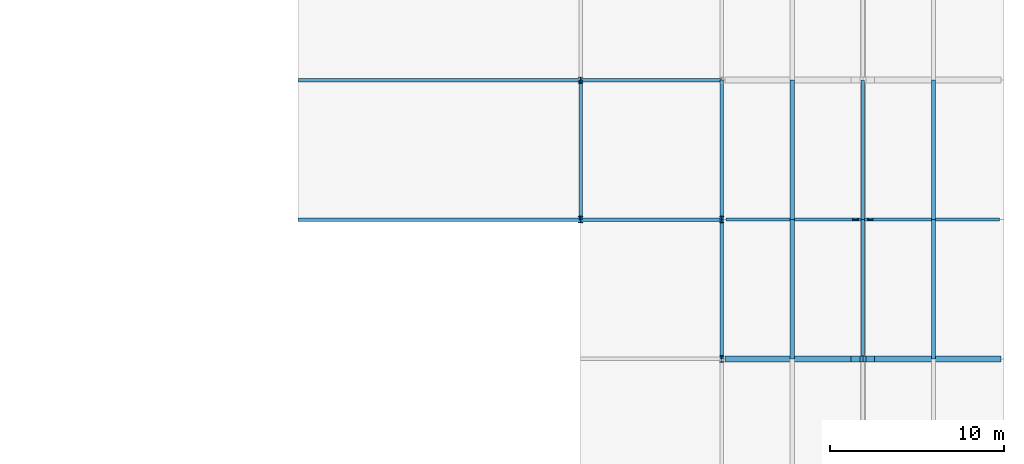
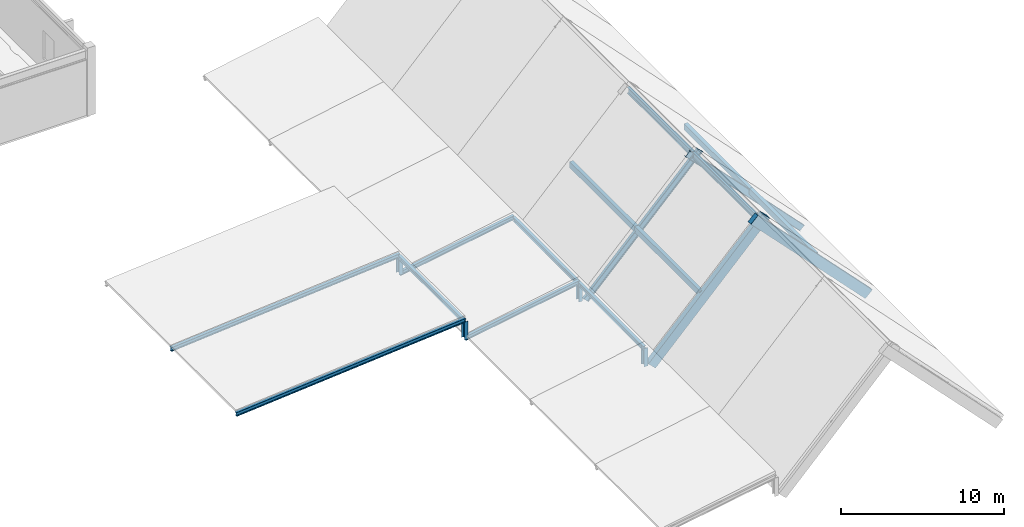
# One storey, part 39 of 107: 16 members, 5 beams.
"""IFC4 building model written with IfcOpenShell, lengths in metres."""

from ifc_helpers import new_model, si_unit, direction, frame, origin, origin_2d, place, context, subcontext, project, spatial, rectangle, i_section, extrude, material, material_profile, profile_set, type_object, element, save


model = new_model("IFC4")

# Units and contexts
model_context = context("Model", 3, precision=1e-05, world=origin(), true_north=direction((0.0, 1.0)))
body_context = subcontext(model_context, "Body", "Model", "MODEL_VIEW")
ifc_project = project(units=[si_unit("LENGTHUNIT", "METRE"), si_unit("AREAUNIT", "SQUARE_METRE"), si_unit("VOLUMEUNIT", "CUBIC_METRE"), si_unit("PLANEANGLEUNIT", "RADIAN"), si_unit("MASSUNIT", "GRAM", prefix="KILO")], contexts=[model_context])

# Site, building, storey
site_placement = place(None, origin())
site = spatial("IfcSite", under=ifc_project, at=site_placement, CompositionType="ELEMENT")
building_placement = place(site_placement, origin())
building = spatial("IfcBuilding", under=site, at=building_placement, Name="Tarnveldt Square Police Headquarters", CompositionType="ELEMENT")
storey_placement = place(building_placement, frame((0.0, 0.0, 14.699951171875)))
storey = spatial("IfcBuildingStorey", under=building, at=storey_placement, Name="L03", CompositionType="ELEMENT", Elevation=14.699951171875)

# Beams
ifc_material_1 = material(Name="Steel 350W", Category="steel")
ifc_material_profile_1 = material_profile(ifc_material_1, i_section(OverallWidth=0.202880859375, OverallDepth=0.302978515625, WebThickness=0.007568359375, FlangeThickness=0.01318359375, FilletRadius=0.014892578125, at=origin_2d()), Name="W310x60")
ifc_profile_set_1 = profile_set([ifc_material_profile_1], Name="Steel 350W")
beam_type_1 = type_object("IfcBeamType", Name="BM-W310x60", PredefinedType="JOIST", material=ifc_profile_set_1)
for number, where, z_axis, x_axis, name in (
    (1, (145.800048828125, 16.0, 0.97998046875), (0.0, 1.0, 0.0), (-1.0, 0.0, 0.0), "East Spine High-Eave Header 3"),
    (2, (145.800048828125, 24.0, 0.97998046875), (0.0, 1.0, 0.0), (-1.0, 0.0, 0.0), "East Spine High-Eave Header 4"),
    (3, (137.699951171875, 24.0, 0.949951171875), (0.0, 1.0, 0.0), (-1.0, 0.0, 0.0), "Foyer Link High-Eave Header 1"),
):
    element("IfcBeam", number, at=place(storey_placement, frame(where, z_axis=z_axis, x_axis=x_axis)), inside=storey, type_object=beam_type_1, Name=name, PredefinedType="JOIST", context=body_context, shape_type="SweptSolid", body=[
        extrude(i_section(OverallWidth=0.202880859375, OverallDepth=0.302978515625, WebThickness=0.007568359375, FlangeThickness=0.01318359375, FilletRadius=0.014892578125, at=origin_2d()), origin(), (0.0, 0.0, 1.0), 8.0),
    ])
ifc_material_profile_2 = material_profile(ifc_material_1, i_section(OverallWidth=0.19189453125, OverallDepth=0.462890625, WebThickness=0.010498046875, FlangeThickness=0.017578125, FilletRadius=0.01806640625, at=origin_2d()), Name="W460x89")
ifc_profile_set_2 = profile_set([ifc_material_profile_2], Name="Steel 350W")
beam_type_2 = type_object("IfcBeamType", Name="BM-W460x89", PredefinedType="BEAM", material=ifc_profile_set_2)
for number, where, z_axis, x_axis, name in (
    (4, (153.89990234375, 16.0, 7.780029296875), (0.0, 1.0, 0.0), (-1.0, 0.0, 0.0), "Gabled Hall Ridge Beam 3"),
    (5, (153.89990234375, 24.0, 7.780029296875), (0.0, 1.0, 0.0), (-1.0, 0.0, 0.0), "Gabled Hall Ridge Beam 4"),
):
    element("IfcBeam", number, at=place(storey_placement, frame(where, z_axis=z_axis, x_axis=x_axis)), inside=storey, type_object=beam_type_2, Name=name, PredefinedType="BEAM", context=body_context, shape_type="SweptSolid", body=[
        extrude(i_section(OverallWidth=0.19189453125, OverallDepth=0.462890625, WebThickness=0.010498046875, FlangeThickness=0.017578125, FilletRadius=0.01806640625, at=origin_2d()), origin(), (0.0, 0.0, 1.0), 8.0),
    ])

# Members
ifc_material_profile_3 = material_profile(ifc_material_1, i_section(OverallWidth=0.257080078125, OverallDepth=0.363037109375, WebThickness=0.012939453125, FlangeThickness=0.021728515625, FilletRadius=0.01611328125, at=origin_2d()), Name="W360x122")
ifc_profile_set_3 = profile_set([ifc_material_profile_3], Name="Steel 350W")
member_type_1 = type_object("IfcMemberType", Name="MEM-CT-POST", PredefinedType="STRUT", material=ifc_profile_set_3)
for number, where, z_axis, x_axis, name in (
    (6, (145.800048828125, 16.0, -0.280029296875), (0.0, 0.0, 1.0), (1.0, 0.0, 0.0), "East Spine Shed High-Eave Post 3"),
    (7, (145.800048828125, 24.0, -0.280029296875), (0.0, 0.0, 1.0), (1.0, 0.0, 0.0), "East Spine Shed High-Eave Post 4"),
):
    element("IfcMember", number, at=place(storey_placement, frame(where, z_axis=z_axis, x_axis=x_axis)), inside=storey, type_object=member_type_1, Name=name, PredefinedType="STRUT", context=body_context, shape_type="SweptSolid", body=[
        extrude(i_section(OverallWidth=0.257080078125, OverallDepth=0.363037109375, WebThickness=0.012939453125, FlangeThickness=0.021728515625, FilletRadius=0.01611328125, at=origin_2d()), origin(), (0.0, 0.0, 1.0), 1.380126953125),
    ])
for number, where, z_axis, x_axis, name in (
    (8, (137.699951171875, 24.0, -0.280029296875), (0.0, 0.0, 1.0), (1.0, 0.0, 0.0), "Foyer Link High-Eave Post 24"),
    (9, (137.699951171875, 32.0, -0.280029296875), (0.0, 0.0, 1.0), (1.0, 0.0, 0.0), "Foyer Link High-Eave Post 32"),
):
    element("IfcMember", number, at=place(storey_placement, frame(where, z_axis=z_axis, x_axis=x_axis)), inside=storey, type_object=member_type_1, Name=name, PredefinedType="STRUT", context=body_context, shape_type="SweptSolid", body=[
        extrude(i_section(OverallWidth=0.257080078125, OverallDepth=0.363037109375, WebThickness=0.012939453125, FlangeThickness=0.021728515625, FilletRadius=0.01611328125, at=origin_2d()), origin(), (0.0, 0.0, 1.0), 1.330078125),
    ])
ifc_material_2 = material(Name="Precast concrete 35 MPa", Category="concrete")
ifc_material_profile_4 = material_profile(ifc_material_2, rectangle(XDim=0.25, YDim=0.449951171875, at=origin_2d()), Name="PC-PUR250x450")
ifc_profile_set_4 = profile_set([ifc_material_profile_4], Name="Precast concrete 35 MPa")
member_type_2 = type_object("IfcMemberType", Name="MEM-GAB-PUR1", PredefinedType="PURLIN", material=ifc_profile_set_4)
for number, where, z_axis, x_axis, name in (
    (10, (149.85009765625, 16.0, 3.64013671875), (0.0, 1.0, 0.0), (-1.0, 0.0, 0.0), "Gabled Hall Roof Purlin W-3"),
    (11, (157.949951171875, 16.0, 3.64013671875), (0.0, 1.0, 0.0), (-1.0, 0.0, 0.0), "Gabled Hall Roof Purlin E-3"),
    (12, (149.85009765625, 24.0, 3.64013671875), (0.0, 1.0, 0.0), (-1.0, 0.0, 0.0), "Gabled Hall Roof Purlin W-4"),
    (13, (157.949951171875, 24.0, 3.64013671875), (0.0, 1.0, 0.0), (-1.0, 0.0, 0.0), "Gabled Hall Roof Purlin E-4"),
):
    element("IfcMember", number, at=place(storey_placement, frame(where, z_axis=z_axis, x_axis=x_axis)), inside=storey, type_object=member_type_2, Name=name, PredefinedType="PURLIN", context=body_context, shape_type="SweptSolid", body=[
        extrude(rectangle(XDim=0.25, YDim=0.449951171875, at=origin_2d()), origin(), (0.0, 0.0, 1.0), 8.0),
    ])
ifc_material_profile_5 = material_profile(ifc_material_2, rectangle(XDim=0.35009765625, YDim=0.699951171875, at=origin_2d()), Name="PC-RAF350x700")
ifc_profile_set_5 = profile_set([ifc_material_profile_5], Name="Precast concrete 35 MPa")
member_type_3 = type_object("IfcMemberType", Name="MEM-GAB-RAF1", PredefinedType="RAFTER", material=ifc_profile_set_5)
member_1_placement = place(storey_placement, frame((146.224609375, 16.0, -0.409423828125), z_axis=(0.694144088606, 0.0, 0.719836081517), x_axis=(0.0, 1.0, 0.0)))
element("IfcMember", 14, at=member_1_placement, inside=storey, type_object=member_type_3, Name="Gabled Hall Rafter Frame GF-3 West", PredefinedType="RAFTER", context=body_context, shape_type="SweptSolid", body=[
    extrude(rectangle(XDim=0.35009765625, YDim=0.699951171875, at=origin_2d()), origin(), (0.0, 0.0, 1.0), 11.669189453125),
])
member_2_placement = place(storey_placement, frame((153.475341796875, 16.0, 7.990478515625), z_axis=(0.694133247437, 0.0, -0.719846535591), x_axis=(0.0, 1.0, 0.0)))
element("IfcMember", 15, at=member_2_placement, inside=storey, type_object=member_type_3, Name="Gabled Hall Rafter Frame GF-3 East", PredefinedType="RAFTER", context=body_context, shape_type="SweptSolid", body=[
    extrude(rectangle(XDim=0.35009765625, YDim=0.699951171875, at=origin_2d()), origin(), (0.0, 0.0, 1.0), 11.6689453125),
])
ifc_material_profile_6 = material_profile(ifc_material_1, i_section(OverallWidth=0.19189453125, OverallDepth=0.462890625, WebThickness=0.010498046875, FlangeThickness=0.017578125, FilletRadius=0.01806640625, at=origin_2d()), Name="W460x89")
ifc_profile_set_6 = profile_set([ifc_material_profile_6], Name="Steel 350W")
member_type_4 = type_object("IfcMemberType", Name="MEM-GAB-RAF2", PredefinedType="RAFTER", material=ifc_profile_set_6)
member_3_placement = place(storey_placement, frame((146.224609375, 24.0, -0.409423828125), z_axis=(0.694144088606, 0.0, 0.719836081517), x_axis=(0.0, 1.0, 0.0)))
element("IfcMember", 16, at=member_3_placement, inside=storey, type_object=member_type_4, Name="Gabled Hall Rafter Frame GF-4 West", PredefinedType="RAFTER", context=body_context, shape_type="SweptSolid", body=[
    extrude(i_section(OverallWidth=0.19189453125, OverallDepth=0.462890625, WebThickness=0.010498046875, FlangeThickness=0.017578125, FilletRadius=0.01806640625, at=origin_2d()), origin(), (0.0, 0.0, 1.0), 11.669189453125),
])
member_4_placement = place(storey_placement, frame((153.475341796875, 24.0, 7.990478515625), z_axis=(0.694133247437, 0.0, -0.719846535591), x_axis=(0.0, 1.0, 0.0)))
element("IfcMember", 17, at=member_4_placement, inside=storey, type_object=member_type_4, Name="Gabled Hall Rafter Frame GF-4 East", PredefinedType="RAFTER", context=body_context, shape_type="SweptSolid", body=[
    extrude(i_section(OverallWidth=0.19189453125, OverallDepth=0.462890625, WebThickness=0.010498046875, FlangeThickness=0.017578125, FilletRadius=0.01806640625, at=origin_2d()), origin(), (0.0, 0.0, 1.0), 11.6689453125),
])
ifc_material_profile_7 = material_profile(ifc_material_1, i_section(OverallWidth=0.202880859375, OverallDepth=0.302978515625, WebThickness=0.007568359375, FlangeThickness=0.01318359375, FilletRadius=0.014892578125, at=origin_2d()), Name="W310x60")
ifc_profile_set_7 = profile_set([ifc_material_profile_7], Name="Steel 350W")
member_type_5 = type_object("IfcMemberType", Name="MEM-L07-RAF", PredefinedType="RAFTER", material=ifc_profile_set_7)
for number, where, z_axis, x_axis, name in (
    (18, (137.699951171875, 24.0, -0.280029296875), (0.985387146875, 0.0, 0.17032959453), (0.0, 1.0, 0.0), "East Hall Spine Shed Rafter 4"),
    (19, (137.699951171875, 32.0, -0.280029296875), (0.985387146875, 0.0, 0.17032959453), (0.0, 1.0, 0.0), "East Hall Spine Shed Rafter 5"),
):
    element("IfcMember", number, at=place(storey_placement, frame(where, z_axis=z_axis, x_axis=x_axis)), inside=storey, type_object=member_type_5, Name=name, PredefinedType="RAFTER", context=body_context, shape_type="SweptSolid", body=[
        extrude(i_section(OverallWidth=0.202880859375, OverallDepth=0.302978515625, WebThickness=0.007568359375, FlangeThickness=0.01318359375, FilletRadius=0.014892578125, at=origin_2d()), origin(), (0.0, 0.0, 1.0), 8.22021484375),
    ])
for number, where, z_axis, x_axis, name in (
    (20, (121.5, 24.0, -0.280029296875), (0.996390687808, 0.0, 0.084885789438), (0.0, 1.0, 0.0), "Foyer Link Rafter 24"),
    (21, (121.5, 32.0, -0.280029296875), (0.996390687808, 0.0, 0.084885789438), (0.0, 1.0, 0.0), "Foyer Link Rafter 32"),
):
    element("IfcMember", number, at=place(storey_placement, frame(where, z_axis=z_axis, x_axis=x_axis)), inside=storey, type_object=member_type_5, Name=name, PredefinedType="RAFTER", context=body_context, shape_type="SweptSolid", body=[
        extrude(i_section(OverallWidth=0.202880859375, OverallDepth=0.302978515625, WebThickness=0.007568359375, FlangeThickness=0.01318359375, FilletRadius=0.014892578125, at=origin_2d()), origin(), (0.0, 0.0, 1.0), 16.258544921875),
    ])

save(model, "model.ifc")
